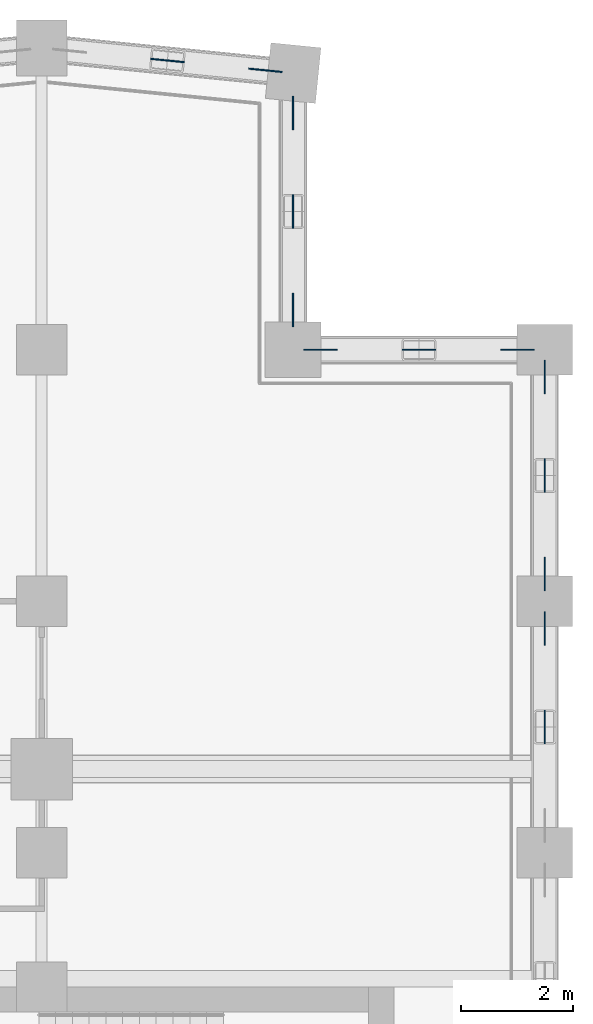
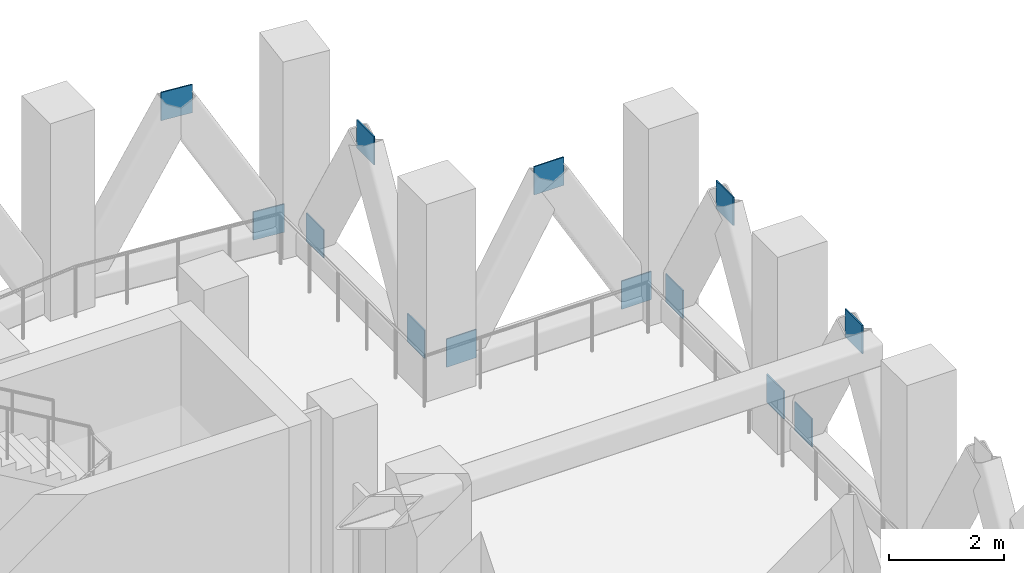
# One storey, part 15 of 18: 13 discrete accessories.
"""IFC4 building model written with IfcOpenShell, lengths in metres."""

from ifc_helpers import new_model, si_unit, direction, frame, origin, origin_2d, place, context, subcontext, project, spatial, rectangle, extrude, material, layer, layer_set, type_object, element, save


model = new_model("IFC4")

# Units and contexts
model_context = context("Model", 3, precision=1e-05, world=origin(), true_north=direction((0.0, 1.0)))
body_context = subcontext(model_context, "Body", "Model", "MODEL_VIEW")
ifc_project = project(units=[si_unit("LENGTHUNIT", "METRE"), si_unit("AREAUNIT", "SQUARE_METRE"), si_unit("VOLUMEUNIT", "CUBIC_METRE"), si_unit("PLANEANGLEUNIT", "RADIAN"), si_unit("MASSUNIT", "GRAM", prefix="KILO")], contexts=[model_context])

# Site, building, storey
site_placement = place(None, origin())
site = spatial("IfcSite", under=ifc_project, at=site_placement, CompositionType="ELEMENT")
building_placement = place(site_placement, origin())
building = spatial("IfcBuilding", under=site, at=building_placement, Name="Brondeck Convention Tower", CompositionType="ELEMENT")
storey_placement = place(building_placement, frame((0.0, 0.0, 248.199951171875)))
storey = spatial("IfcBuildingStorey", under=building, at=storey_placement, Name="L61", CompositionType="ELEMENT", Elevation=248.199951171875)

# Discrete accessories
ifc_material = material(Name="Steel S460", Category="steel")
ifc_layer = layer(ifc_material, 0.02490234375)
ifc_layer_set = layer_set([ifc_layer], Name="Gusset plate 600x600x25 Steel S460")
discrete_accessory_type = type_object("IfcDiscreteAccessoryType", Name="Gusset plate 600x600x25 Steel S460", PredefinedType="BRACKET", material=ifc_layer_set)
for number, where, z_axis, x_axis, name in (
    (1, (54.0, 51.75, 3.25), (0.0, 0.0, 1.0), (0.0, 1.0, 0.0), "Gusset plate GP-715"),
    (2, (54.0, 53.510986328125, 0.199951171875), (0.0, 0.0, 1.0), (0.0, 1.0, 0.0), "Gusset plate GP-716"),
    (3, (54.0, 54.489013671875, 0.199951171875), (0.0, 0.0, 1.0), (0.0, 1.0, 0.0), "Gusset plate GP-717"),
    (4, (54.0, 56.25, 3.25), (0.0, 0.0, 1.0), (0.0, 1.0, 0.0), "Gusset plate GP-718"),
    (5, (54.0, 58.010986328125, 0.199951171875), (0.0, 0.0, 1.0), (0.0, 1.0, 0.0), "Gusset plate GP-719"),
    (6, (53.510986328125, 58.5, 0.199951171875), (0.0, 0.0, 1.0), (1.0, 0.0, 0.0), "Gusset plate GP-720"),
    (7, (51.75, 58.5, 3.25), (0.0, 0.0, 1.0), (1.0, 0.0, 0.0), "Gusset plate GP-721"),
    (8, (49.989013671875, 58.5, 0.199951171875), (0.0, 0.0, 1.0), (1.0, 0.0, 0.0), "Gusset plate GP-722"),
    (9, (49.5, 59.214111328125, 0.199951171875), (0.0, 0.0, 1.0), (0.0, 1.0, 0.0), "Gusset plate GP-723"),
    (10, (49.5, 60.97509765625, 3.25), (0.0, 0.0, 1.0), (0.0, 1.0, 0.0), "Gusset plate GP-724"),
    (11, (49.5, 62.73583984375, 0.199951171875), (0.0, 0.0, 1.0), (0.0, 1.0, 0.0), "Gusset plate GP-725"),
    (12, (49.002197265625, 63.499755859375, 0.199951171875), (0.0, 0.0, 1.0), (-0.9950364836, 0.099510784867, 0.0), "Gusset plate GP-726"),
    (13, (47.25, 63.675048828125, 3.25), (0.0, 0.0, 1.0), (-0.9950364836, 0.099510784867, 0.0), "Gusset plate GP-727"),
):
    element("IfcDiscreteAccessory", number, at=place(storey_placement, frame(where, z_axis=z_axis, x_axis=x_axis)), inside=storey, type_object=discrete_accessory_type, Name=name, PredefinedType="BRACKET", context=body_context, shape_type="SweptSolid", body=[
        extrude(rectangle(XDim=0.60009765625, YDim=0.02490234375, at=origin_2d()), origin(), (0.0, 0.0, 1.0), 0.60009765625),
    ])

save(model, "model.ifc")
